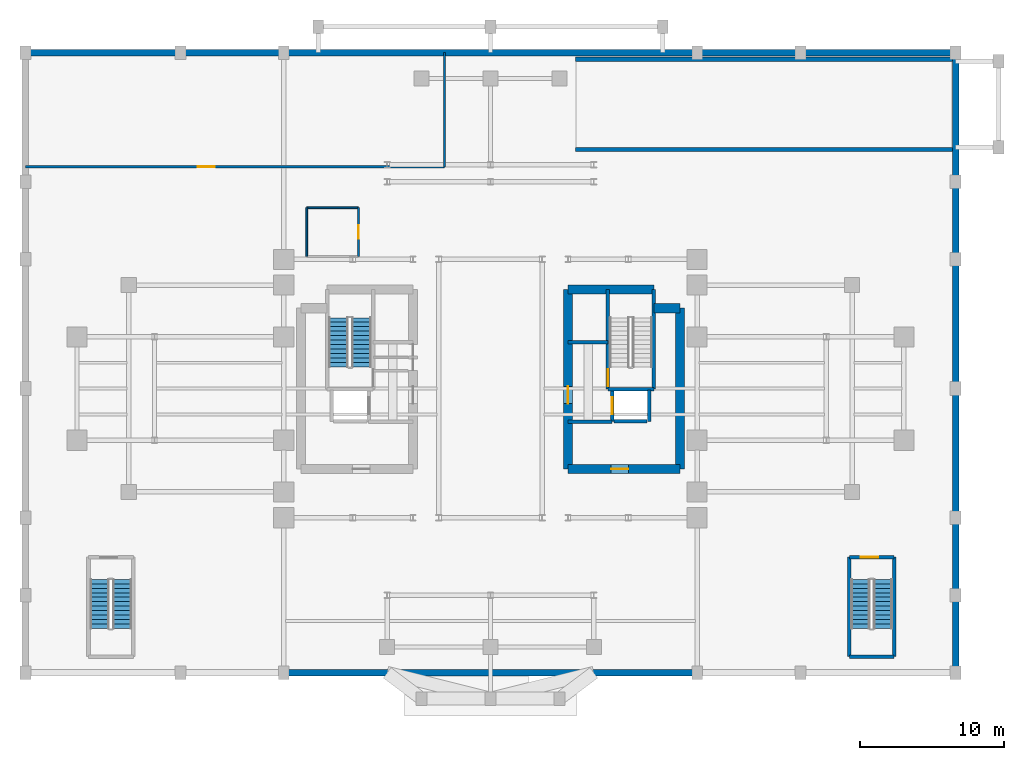
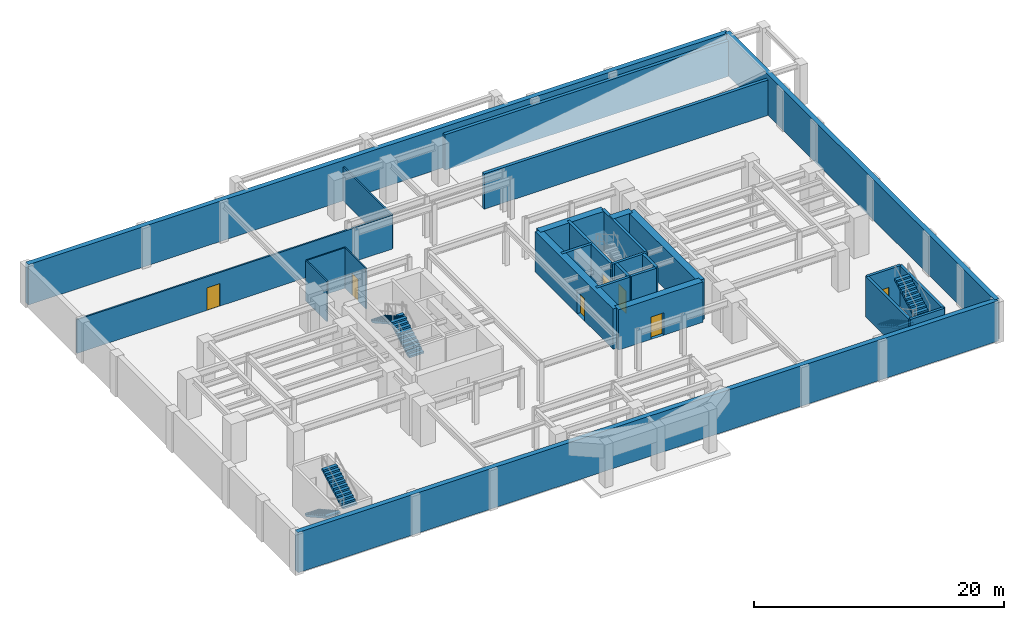
# One storey, part 6 of 9: 27 walls, 7 doors, 6 stair flights, 7 openings, 3 elements without a shape of their own.
"""IFC4 building model written with IfcOpenShell, lengths in metres."""

from ifc_helpers import new_model, si_unit, direction, frame, frame_2d, origin, place, context, subcontext, project, spatial, polyline, rectangle, outline, extrude, source, transform, mapped, material, layer, layer_set, type_object, element, fill, aggregate, save


model = new_model("IFC4")

# Units and contexts
model_context = context("Model", 3, precision=1e-05, world=origin(), true_north=direction((0.0, 1.0)))
body_context = subcontext(model_context, "Body", "Model", "MODEL_VIEW")
ifc_project = project(units=[si_unit("LENGTHUNIT", "METRE"), si_unit("AREAUNIT", "SQUARE_METRE"), si_unit("VOLUMEUNIT", "CUBIC_METRE"), si_unit("PLANEANGLEUNIT", "RADIAN"), si_unit("MASSUNIT", "GRAM", prefix="KILO")], contexts=[model_context])

# Site, building, storey
site_placement = place(None, origin())
site = spatial("IfcSite", under=ifc_project, at=site_placement, CompositionType="ELEMENT")
building_placement = place(site_placement, origin())
building = spatial("IfcBuilding", under=site, at=building_placement, Name="Keilestroom Media Tower", CompositionType="ELEMENT")
storey_placement = place(building_placement, frame((0.0, 0.0, -4.199951171875)))
storey = spatial("IfcBuildingStorey", under=building, at=storey_placement, Name="B1", CompositionType="ELEMENT", Elevation=-4.199951171875)

# Walls
ifc_material_1 = material(Name="Concrete C45/55", Category="concrete")
ifc_layer_1 = layer(ifc_material_1, 0.449951171875)
ifc_layer_set_1 = layer_set([ifc_layer_1], Name="Concrete C45/55")
wall_type_1 = type_object("IfcWallType", Name="Basement-Retaining-Wall-450", PredefinedType="USERDEFINED", material=ifc_layer_set_1)
wall_1_placement = place(storey_placement, frame((-32.39990234375, -19.800048828125, 0.0), z_axis=(0.0, 0.0, 1.0), x_axis=(1.0, 0.0, 0.0)))
element("IfcWall", 1, at=wall_1_placement, inside=storey, type_object=wall_type_1, Name="B1 Perimeter Retaining Wall S", ObjectType="RETAININGWALL", PredefinedType="USERDEFINED", context=body_context, shape_type="SweptSolid", body=[
    extrude(rectangle(XDim=64.7998046875, YDim=0.449951171875, at=frame_2d((32.39990234375, 0.0))), origin(), (0.0, 0.0, 1.0), 3.949951171875),
])
wall_2_placement = place(storey_placement, frame((32.39990234375, -19.800048828125, 0.0), z_axis=(0.0, 0.0, 1.0), x_axis=(0.0, 1.0, 0.0)))
element("IfcWall", 2, at=wall_2_placement, inside=storey, type_object=wall_type_1, Name="B1 Perimeter Retaining Wall E", ObjectType="RETAININGWALL", PredefinedType="USERDEFINED", context=body_context, shape_type="SweptSolid", body=[
    extrude(rectangle(XDim=43.199951171875, YDim=0.449951171875, at=frame_2d((21.60009765625, 0.0))), origin(), (0.0, 0.0, 1.0), 3.949951171875),
])
wall_3_placement = place(storey_placement, frame((32.39990234375, 23.39990234375, 0.0), z_axis=(0.0, 0.0, 1.0), x_axis=(-1.0, 0.0, 0.0)))
element("IfcWall", 3, at=wall_3_placement, inside=storey, type_object=wall_type_1, Name="B1 Perimeter Retaining Wall N", ObjectType="RETAININGWALL", PredefinedType="USERDEFINED", context=body_context, shape_type="SweptSolid", body=[
    extrude(rectangle(XDim=64.7998046875, YDim=0.449951171875, at=frame_2d((32.39990234375, 0.0))), origin(), (0.0, 0.0, 1.0), 3.949951171875),
])
ifc_material_2 = material(Name="Gypsum Plasterboard & Steel Stud", Category="steel")
ifc_layer_2 = layer(ifc_material_2, 0.1201171875)
ifc_layer_set_2 = layer_set([ifc_layer_2], Name="Gypsum Plasterboard & Steel Stud")
wall_type_2 = type_object("IfcWallType", Name="Interior-Partition-Wall-120", PredefinedType="PARTITIONING", material=ifc_layer_set_2)
wall_4_placement = place(storey_placement, frame((-12.800048828125, 12.60009765625, 0.0), z_axis=(0.0, 0.0, 1.0), x_axis=(1.0, 0.0, 0.0)))
element("IfcWall", 4, at=wall_4_placement, inside=storey, type_object=wall_type_2, Name="B1 Interior Wall WP-B1-B1-SHWR-N", PredefinedType="PARTITIONING", context=body_context, shape_type="SweptSolid", body=[
    extrude(rectangle(XDim=3.60009765625, YDim=0.1201171875, at=frame_2d((1.800048828125, 0.0))), origin(), (0.0, 0.0, 1.0), 3.949951171875),
])
wall_5_placement = place(storey_placement, frame((-12.800048828125, 9.199951171875, 0.0), z_axis=(0.0, 0.0, 1.0), x_axis=(0.0, 1.0, 0.0)))
element("IfcWall", 5, at=wall_5_placement, inside=storey, type_object=wall_type_2, Name="B1 Interior Wall WP-B1-B1-SHWR-W", PredefinedType="PARTITIONING", context=body_context, shape_type="SweptSolid", body=[
    extrude(rectangle(XDim=3.400146484375, YDim=0.1201171875, at=frame_2d((1.7001953125, 0.0))), origin(), (0.0, 0.0, 1.0), 3.949951171875),
])

# Wall, opening, door
wall_6_placement = place(storey_placement, frame((-9.199951171875, 9.199951171875, 0.0), z_axis=(0.0, 0.0, 1.0), x_axis=(0.0, 1.0, 0.0)))
wall_6 = element("IfcWall", 6, at=wall_6_placement, inside=storey, type_object=wall_type_2, Name="B1 Interior Wall WP-B1-B1-SHWR-E", PredefinedType="PARTITIONING", context=body_context, shape_type="SweptSolid", body=[
    extrude(rectangle(XDim=3.400146484375, YDim=0.1201171875, at=frame_2d((1.7001953125, 0.0))), origin(), (0.0, 0.0, 1.0), 3.949951171875),
])
opening_1_placement = place(wall_6_placement, frame((1.22509765625, 0.0, 0.0)))
opening_1 = element("IfcOpeningElement", 7, at=opening_1_placement, cuts=wall_6, Name="Opening DI-03", PredefinedType="OPENING", context=body_context, shape_type="SweptSolid", body=[
    extrude(rectangle(XDim=0.949951171875, YDim=2.14990234375, at=frame_2d((0.47509765625, 1.074951171875))), frame((0.0, 0.070068359375, 0.0), z_axis=(0.0, -1.0, 0.0), x_axis=(1.0, 0.0, 0.0)), (0.0, 0.0, 1.0), 0.14013671875),
])
ifc_material_3 = material(Name="Lacquered European Oak Leaf", Category="wood")
door_type_1 = type_object("IfcDoorType", Name="Interior-Room-And-Suite-Door-DI-03", OperationType="NOTDEFINED", PredefinedType="DOOR", material=ifc_material_3)
shared_shape_1 = source(origin(), body_context, "Body", "SweptSolid", [
    extrude(rectangle(XDim=0.949951171875, YDim=2.14990234375, at=frame_2d((0.47509765625, 1.074951171875))), frame((0.0, 0.02490234375, 0.0), z_axis=(0.0, -1.0, 0.0), x_axis=(1.0, 0.0, 0.0)), (0.0, 0.0, 1.0), 0.050048828125),
])
door_1_placement = place(opening_1_placement, origin())
door_1 = element("IfcDoor", 8, at=door_1_placement, inside=storey, type_object=door_type_1, Name="B1 Interior Door DI-B1-DB1-SHWR", OperationType="SINGLE_SWING_LEFT", OverallHeight=2.14990234375, OverallWidth=0.949951171875, PredefinedType="DOOR", context=body_context, shape_type="MappedRepresentation", body=[
    mapped(shared_shape_1, transform((0.0, 0.0, 0.0), x_axis=(1.0, 0.0, 0.0), y_axis=(0.0, 1.0, 0.0), z_axis=(0.0, 0.0, 1.0), scale=1.0)),
])
fill(opening_1, door_1)

ifc_layer_3 = layer(ifc_material_2, 0.14990234375)
ifc_layer_set_3 = layer_set([ifc_layer_3], Name="Gypsum Plasterboard & Steel Stud")
wall_type_3 = type_object("IfcWallType", Name="Interior-Partition-Wall-150", PredefinedType="PARTITIONING", material=ifc_layer_set_3)
wall_7_placement = place(storey_placement, frame((-32.39990234375, 15.449951171875, 0.0), z_axis=(0.0, 0.0, 1.0), x_axis=(1.0, 0.0, 0.0)))
wall_7 = element("IfcWall", 9, at=wall_7_placement, inside=storey, type_object=wall_type_3, Name="B1 Interior Wall WP-B1-B1-BIKE-S", PredefinedType="PARTITIONING", context=body_context, shape_type="SweptSolid", body=[
    extrude(rectangle(XDim=29.199951171875, YDim=0.14990234375, at=frame_2d((14.60009765625, 0.0))), origin(), (0.0, 0.0, 1.0), 3.300048828125),
])
opening_2_placement = place(wall_7_placement, frame((12.0, 0.0, 0.0)))
opening_2 = element("IfcOpeningElement", 10, at=opening_2_placement, cuts=wall_7, Name="Opening DI-02", PredefinedType="OPENING", context=body_context, shape_type="SweptSolid", body=[
    extrude(rectangle(XDim=1.199951171875, YDim=2.199951171875, at=frame_2d((0.60009765625, 1.10009765625))), frame((0.0, 0.0849609375, 0.0), z_axis=(0.0, -1.0, 0.0), x_axis=(1.0, 0.0, 0.0)), (0.0, 0.0, 1.0), 0.169921875),
])
ifc_material_4 = material(Name="Powder-Coated Steel Fire Leaf", Category="steel")
door_type_2 = type_object("IfcDoorType", Name="Interior-Compartment-Fire-Door-DI-02", OperationType="NOTDEFINED", PredefinedType="DOOR", material=ifc_material_4)
shared_shape_2 = source(origin(), body_context, "Body", "SweptSolid", [
    extrude(rectangle(XDim=1.199951171875, YDim=2.199951171875, at=frame_2d((0.60009765625, 1.10009765625))), frame((0.0, 0.02490234375, 0.0), z_axis=(0.0, -1.0, 0.0), x_axis=(1.0, 0.0, 0.0)), (0.0, 0.0, 1.0), 0.050048828125),
])
door_2_placement = place(opening_2_placement, origin())
door_2 = element("IfcDoor", 11, at=door_2_placement, inside=storey, type_object=door_type_2, Name="B1 Interior Door DI-B1-B1-BIKE-D", OperationType="SINGLE_SWING_RIGHT", OverallHeight=2.199951171875, OverallWidth=1.199951171875, PredefinedType="DOOR", context=body_context, shape_type="MappedRepresentation", body=[
    mapped(shared_shape_2, transform((0.0, 0.0, 0.0), x_axis=(1.0, 0.0, 0.0), y_axis=(0.0, 1.0, 0.0), z_axis=(0.0, 0.0, 1.0), scale=1.0)),
])
fill(opening_2, door_2)

# Walls
wall_8_placement = place(storey_placement, frame((-3.199951171875, 15.449951171875, 0.0), z_axis=(0.0, 0.0, 1.0), x_axis=(0.0, 1.0, 0.0)))
element("IfcWall", 12, at=wall_8_placement, inside=storey, type_object=wall_type_3, Name="B1 Interior Wall WP-B1-B1-BIKE-E", PredefinedType="PARTITIONING", context=body_context, shape_type="SweptSolid", body=[
    extrude(rectangle(XDim=7.949951171875, YDim=0.14990234375, at=frame_2d((3.97509765625, 0.0))), origin(), (0.0, 0.0, 1.0), 3.300048828125),
])
ifc_material_5 = material(Name="Concrete C50/60", Category="concrete")
ifc_layer_4 = layer(ifc_material_5, 0.300048828125)
ifc_layer_set_4 = layer_set([ifc_layer_4], Name="Concrete C50/60")
wall_type_4 = type_object("IfcWallType", Name="Reinforced-Concrete-Core-Shear-Wall-300", PredefinedType="SHEAR", material=ifc_layer_set_4)
for number, where, z_axis, x_axis, name in (
    (13, (5.919921875, 16.64990234375, 0.0), (0.0, 0.0, 1.0), (1.0, 0.0, 0.0), "B1 Core Shear Wall WL-B1-RMPW-S"),
    (14, (5.919921875, 22.949951171875, 0.0), (0.0, 0.0, 1.0), (1.0, 0.0, 0.0), "B1 Core Shear Wall WL-B1-RMPW-N"),
):
    element("IfcWall", number, at=place(storey_placement, frame(where, z_axis=z_axis, x_axis=x_axis)), inside=storey, type_object=wall_type_4, Name=name, PredefinedType="SHEAR", context=body_context, shape_type="SweptSolid", body=[
        extrude(rectangle(XDim=26.260009765625, YDim=0.300048828125, at=frame_2d((13.1298828125, 0.0))), origin(), (0.0, 0.0, 1.0), 3.4599609375),
    ])
ifc_material_6 = material(Name="Concrete C70/85", Category="concrete")
ifc_layer_5 = layer(ifc_material_6, 0.64990234375)
ifc_layer_set_5 = layer_set([ifc_layer_5], Name="Concrete C70/85")
wall_type_5 = type_object("IfcWallType", Name="Reinforced-Concrete-Core-Shear-Wall-650", PredefinedType="SHEAR", material=ifc_layer_set_5)
wall_9_placement = place(storey_placement, frame((13.199951171875, -5.60009765625, 0.0), z_axis=(0.0, 0.0, 1.0), x_axis=(0.0, 1.0, 0.0)))
element("IfcWall", 15, at=wall_9_placement, inside=storey, type_object=wall_type_5, Name="B1 Core Shear Wall WL-B1-CORE-E-OUT", PredefinedType="SHEAR", context=body_context, shape_type="SweptSolid", body=[
    extrude(rectangle(XDim=11.2001953125, YDim=0.64990234375, at=frame_2d((5.60009765625, 0.0))), origin(), (0.0, 0.0, 1.0), 3.949951171875),
])

# Wall, opening, door
wall_10_placement = place(storey_placement, frame((5.39990234375, -5.60009765625, 0.0), z_axis=(0.0, 0.0, 1.0), x_axis=(0.0, 1.0, 0.0)))
wall_10 = element("IfcWall", 16, at=wall_10_placement, inside=storey, type_object=wall_type_5, Name="B1 Core Shear Wall WL-B1-CORE-E-IN", PredefinedType="SHEAR", context=body_context, shape_type="SweptSolid", body=[
    extrude(rectangle(XDim=12.5, YDim=0.64990234375, at=frame_2d((6.25, 0.0))), origin(), (0.0, 0.0, 1.0), 3.949951171875),
])
opening_3_placement = place(wall_10_placement, frame((4.550048828125, 0.0, 0.0)))
opening_3 = element("IfcOpeningElement", 17, at=opening_3_placement, cuts=wall_10, Name="Opening DI-02", PredefinedType="OPENING", context=body_context, shape_type="SweptSolid", body=[
    extrude(rectangle(XDim=1.199951171875, YDim=2.199951171875, at=frame_2d((0.60009765625, 1.10009765625))), frame((0.0, 0.3349609375, 0.0), z_axis=(0.0, -1.0, 0.0), x_axis=(1.0, 0.0, 0.0)), (0.0, 0.0, 1.0), 0.669921875),
])
door_3_placement = place(opening_3_placement, origin())
door_3 = element("IfcDoor", 18, at=door_3_placement, inside=storey, type_object=door_type_2, Name="B1 E Firefighting Lobby Door", OperationType="SINGLE_SWING_LEFT", OverallHeight=2.199951171875, OverallWidth=1.199951171875, PredefinedType="DOOR", context=body_context, shape_type="MappedRepresentation", body=[
    mapped(shared_shape_2, transform((0.0, 0.0, 0.0), x_axis=(1.0, 0.0, 0.0), y_axis=(0.0, 1.0, 0.0), z_axis=(0.0, 0.0, 1.0), scale=1.0)),
])
fill(opening_3, door_3)

# Walls
wall_11_placement = place(storey_placement, frame((5.39990234375, 6.89990234375, 0.0), z_axis=(0.0, 0.0, 1.0), x_axis=(1.0, 0.0, 0.0)))
element("IfcWall", 19, at=wall_11_placement, inside=storey, type_object=wall_type_5, Name="B1 Core Shear Wall WL-B1-CORE-E-N", PredefinedType="SHEAR", context=body_context, shape_type="SweptSolid", body=[
    extrude(rectangle(XDim=5.981201171875, YDim=0.64990234375, at=frame_2d((2.99072265625, 0.0))), origin(), (0.0, 0.0, 1.0), 3.949951171875),
])
wall_12_placement = place(storey_placement, frame((11.381103515625, 5.60009765625, 0.0), z_axis=(0.0, 0.0, 1.0), x_axis=(1.0, 0.0, 0.0)))
element("IfcWall", 20, at=wall_12_placement, inside=storey, type_object=wall_type_5, Name="B1 Core Shear Wall WL-B1-CNE-N", PredefinedType="SHEAR", context=body_context, shape_type="SweptSolid", body=[
    extrude(rectangle(XDim=1.81884765625, YDim=0.64990234375, at=frame_2d((0.909423828125, 0.0))), origin(), (0.0, 0.0, 1.0), 3.949951171875),
])

# Wall, opening, door
wall_13_placement = place(storey_placement, frame((5.39990234375, -5.60009765625, 0.0), z_axis=(0.0, 0.0, 1.0), x_axis=(1.0, 0.0, 0.0)))
wall_13 = element("IfcWall", 21, at=wall_13_placement, inside=storey, type_object=wall_type_5, Name="B1 Core Shear Wall WL-B1-CORE-E-S", PredefinedType="SHEAR", context=body_context, shape_type="SweptSolid", body=[
    extrude(rectangle(XDim=7.800048828125, YDim=0.64990234375, at=frame_2d((3.89990234375, 0.0))), origin(), (0.0, 0.0, 1.0), 3.949951171875),
])
opening_4_placement = place(wall_13_placement, frame((3.0, 0.0, 0.0)))
opening_4 = element("IfcOpeningElement", 22, at=opening_4_placement, cuts=wall_13, Name="Opening DI-02", PredefinedType="OPENING", context=body_context, shape_type="SweptSolid", body=[
    extrude(rectangle(XDim=1.199951171875, YDim=2.199951171875, at=frame_2d((0.60009765625, 1.10009765625))), frame((0.0, 0.3349609375, 0.0), z_axis=(0.0, -1.0, 0.0), x_axis=(1.0, 0.0, 0.0)), (0.0, 0.0, 1.0), 0.669921875),
])
door_4_placement = place(opening_4_placement, origin())
door_4 = element("IfcDoor", 23, at=door_4_placement, inside=storey, type_object=door_type_2, Name="B1 E Passenger Lift Lobby Door", OperationType="SINGLE_SWING_RIGHT", OverallHeight=2.199951171875, OverallWidth=1.199951171875, PredefinedType="DOOR", context=body_context, shape_type="MappedRepresentation", body=[
    mapped(shared_shape_2, transform((0.0, 0.0, 0.0), x_axis=(1.0, 0.0, 0.0), y_axis=(0.0, 1.0, 0.0), z_axis=(0.0, 0.0, 1.0), scale=1.0)),
])
fill(opening_4, door_4)

# Walls
ifc_layer_6 = layer(ifc_material_5, 0.25)
ifc_layer_set_6 = layer_set([ifc_layer_6], Name="Concrete C50/60")
wall_type_6 = type_object("IfcWallType", Name="Reinforced-Concrete-Shaft-Wall-250", PredefinedType="SOLIDWALL", material=ifc_layer_set_6)
wall_14_placement = place(storey_placement, frame((5.39990234375, 3.219970703125, 0.0), z_axis=(0.0, 0.0, 1.0), x_axis=(1.0, 0.0, 0.0)))
element("IfcWall", 24, at=wall_14_placement, inside=storey, type_object=wall_type_6, Name="B1 Core Shear Wall WL-B1-CORE-E-FFN", PredefinedType="SOLIDWALL", context=body_context, shape_type="SweptSolid", body=[
    extrude(rectangle(XDim=2.780029296875, YDim=0.25, at=frame_2d((1.39013671875, 0.0))), origin(), (0.0, 0.0, 1.0), 3.949951171875),
])
wall_15_placement = place(storey_placement, frame((5.39990234375, -2.300048828125, 0.0), z_axis=(0.0, 0.0, 1.0), x_axis=(1.0, 0.0, 0.0)))
element("IfcWall", 25, at=wall_15_placement, inside=storey, type_object=wall_type_6, Name="B1 Core Shear Wall WL-B1-CORE-E-FFS", PredefinedType="SOLIDWALL", context=body_context, shape_type="SweptSolid", body=[
    extrude(rectangle(XDim=3.080078125, YDim=0.25, at=frame_2d((1.5400390625, 0.0))), origin(), (0.0, 0.0, 1.0), 3.949951171875),
])

# Wall, opening, door
wall_16_placement = place(storey_placement, frame((8.178955078125, -0.041015625, 0.0), z_axis=(0.0, 0.0, 1.0), x_axis=(0.0, 1.0, 0.0)))
wall_16 = element("IfcWall", 26, at=wall_16_placement, inside=storey, type_object=wall_type_6, Name="B1 Core Shear Wall WL-B1-STW-E-NEAR", PredefinedType="SOLIDWALL", context=body_context, shape_type="SweptSolid", body=[
    extrude(rectangle(XDim=6.94091796875, YDim=0.25, at=frame_2d((3.470458984375, 0.0))), origin(), (0.0, 0.0, 1.0), 3.949951171875),
])
opening_5_placement = place(wall_16_placement, frame((0.199951171875, 0.0, 0.0)))
opening_5 = element("IfcOpeningElement", 27, at=opening_5_placement, cuts=wall_16, Name="Opening DI-01S", PredefinedType="OPENING", context=body_context, shape_type="SweptSolid", body=[
    extrude(rectangle(XDim=1.199951171875, YDim=2.199951171875, at=frame_2d((0.60009765625, 1.10009765625))), frame((0.0, 0.135009765625, 0.0), z_axis=(0.0, -1.0, 0.0), x_axis=(1.0, 0.0, 0.0)), (0.0, 0.0, 1.0), 0.27001953125),
])
door_type_3 = type_object("IfcDoorType", Name="Interior-Stair-And-Core-Fire-Door-DI-01", OperationType="NOTDEFINED", PredefinedType="DOOR", material=ifc_material_4)
door_5_placement = place(opening_5_placement, origin())
door_5 = element("IfcDoor", 28, at=door_5_placement, inside=storey, type_object=door_type_3, Name="B1 Escape Stair ST-2 Fire Door", OperationType="SINGLE_SWING_RIGHT", OverallHeight=2.199951171875, OverallWidth=1.199951171875, PredefinedType="DOOR", context=body_context, shape_type="MappedRepresentation", body=[
    mapped(shared_shape_2, transform((0.0, 0.0, 0.0), x_axis=(1.0, 0.0, 0.0), y_axis=(0.0, 1.0, 0.0), z_axis=(0.0, 0.0, 1.0), scale=1.0)),
])
fill(opening_5, door_5)

# Walls
wall_17_placement = place(storey_placement, frame((11.381103515625, -0.041015625, 0.0), z_axis=(0.0, 0.0, 1.0), x_axis=(0.0, 1.0, 0.0)))
element("IfcWall", 29, at=wall_17_placement, inside=storey, type_object=wall_type_6, Name="B1 Core Shear Wall WL-B1-STW-E-FAR", PredefinedType="SOLIDWALL", context=body_context, shape_type="SweptSolid", body=[
    extrude(rectangle(XDim=6.94091796875, YDim=0.25, at=frame_2d((3.470458984375, 0.0))), origin(), (0.0, 0.0, 1.0), 3.949951171875),
])
wall_18_placement = place(storey_placement, frame((8.178955078125, -0.041015625, 0.0), z_axis=(0.0, 0.0, 1.0), x_axis=(1.0, 0.0, 0.0)))
element("IfcWall", 30, at=wall_18_placement, inside=storey, type_object=wall_type_6, Name="B1 Core Shear Wall WL-B1-STW-E-S", PredefinedType="SOLIDWALL", context=body_context, shape_type="SweptSolid", body=[
    extrude(rectangle(XDim=3.2021484375, YDim=0.25, at=frame_2d((1.60107421875, 0.0))), origin(), (0.0, 0.0, 1.0), 3.949951171875),
])
for number, where, z_axis, x_axis, name in (
    (31, (24.9990234375, -18.6708984375, 0.0), (0.0, 0.0, 1.0), (0.0, 1.0, 0.0), "B1 Core Shear Wall WL-B1-ST-4-W"),
    (32, (28.12109375, -18.6708984375, 0.0), (0.0, 0.0, 1.0), (0.0, 1.0, 0.0), "B1 Core Shear Wall WL-B1-ST-4-E"),
):
    element("IfcWall", number, at=place(storey_placement, frame(where, z_axis=z_axis, x_axis=x_axis)), inside=storey, type_object=wall_type_6, Name=name, PredefinedType="SOLIDWALL", context=body_context, shape_type="SweptSolid", body=[
        extrude(rectangle(XDim=6.921875, YDim=0.25, at=frame_2d((3.4609375, 0.0))), origin(), (0.0, 0.0, 1.0), 3.949951171875),
    ])
wall_19_placement = place(storey_placement, frame((24.9990234375, -18.6708984375, 0.0), z_axis=(0.0, 0.0, 1.0), x_axis=(1.0, 0.0, 0.0)))
element("IfcWall", 33, at=wall_19_placement, inside=storey, type_object=wall_type_6, Name="B1 Core Shear Wall WL-B1-ST-4-S", PredefinedType="SOLIDWALL", context=body_context, shape_type="SweptSolid", body=[
    extrude(rectangle(XDim=3.1220703125, YDim=0.25, at=frame_2d((1.56103515625, 0.0))), origin(), (0.0, 0.0, 1.0), 3.949951171875),
])

# Wall, opening, door
wall_20_placement = place(storey_placement, frame((24.9990234375, -11.7490234375, 0.0), z_axis=(0.0, 0.0, 1.0), x_axis=(1.0, 0.0, 0.0)))
wall_20 = element("IfcWall", 34, at=wall_20_placement, inside=storey, type_object=wall_type_6, Name="B1 Core Shear Wall WL-B1-ST-4-N", PredefinedType="SOLIDWALL", context=body_context, shape_type="SweptSolid", body=[
    extrude(rectangle(XDim=3.1220703125, YDim=0.25, at=frame_2d((1.56103515625, 0.0))), origin(), (0.0, 0.0, 1.0), 3.949951171875),
])
opening_6_placement = place(wall_20_placement, frame((0.800048828125, 0.0, 0.0)))
opening_6 = element("IfcOpeningElement", 35, at=opening_6_placement, cuts=wall_20, Name="Opening DI-01S", PredefinedType="OPENING", context=body_context, shape_type="SweptSolid", body=[
    extrude(rectangle(XDim=1.199951171875, YDim=2.199951171875, at=frame_2d((0.60009765625, 1.10009765625))), frame((0.0, 0.135009765625, 0.0), z_axis=(0.0, -1.0, 0.0), x_axis=(1.0, 0.0, 0.0)), (0.0, 0.0, 1.0), 0.27001953125),
])
door_6_placement = place(opening_6_placement, origin())
door_6 = element("IfcDoor", 36, at=door_6_placement, inside=storey, type_object=door_type_3, Name="B1 Podium Stair ST-4 Fire Door", OperationType="SINGLE_SWING_LEFT", OverallHeight=2.199951171875, OverallWidth=1.199951171875, PredefinedType="DOOR", context=body_context, shape_type="MappedRepresentation", body=[
    mapped(shared_shape_2, transform((0.0, 0.0, 0.0), x_axis=(1.0, 0.0, 0.0), y_axis=(0.0, 1.0, 0.0), z_axis=(0.0, 0.0, 1.0), scale=1.0)),
])
fill(opening_6, door_6)

wall_21_placement = place(storey_placement, frame((8.47998046875, -2.280029296875, 0.0), z_axis=(0.0, 0.0, 1.0), x_axis=(0.0, 1.0, 0.0)))
wall_21 = element("IfcWall", 37, at=wall_21_placement, inside=storey, type_object=wall_type_6, Name="B1 Core Shear Wall WL-B1-LSH-FFL-2-W", PredefinedType="SOLIDWALL", context=body_context, shape_type="SweptSolid", body=[
    extrude(rectangle(XDim=2.179931640625, YDim=0.25, at=frame_2d((1.08984375, 0.0))), origin(), (0.0, 0.0, 1.0), 3.949951171875),
])
opening_7_placement = place(wall_21_placement, frame((0.489990234375, 0.0, 0.0)))
opening_7 = element("IfcOpeningElement", 38, at=opening_7_placement, cuts=wall_21, Name="Opening LD-02", PredefinedType="OPENING", context=body_context, shape_type="SweptSolid", body=[
    extrude(rectangle(XDim=1.199951171875, YDim=2.199951171875, at=frame_2d((0.60009765625, 1.10009765625))), frame((0.0, 0.135009765625, 0.0), z_axis=(0.0, -1.0, 0.0), x_axis=(1.0, 0.0, 0.0)), (0.0, 0.0, 1.0), 0.27001953125),
])
ifc_material_7 = material(Name="Brushed Stainless Steel Sliding Leaf", Category="steel")
door_type_4 = type_object("IfcDoorType", Name="Lift-Landing-Sliding-Door-LD-02", OperationType="SLIDING_TO_RIGHT", PredefinedType="DOOR", material=ifc_material_7)
door_7_placement = place(opening_7_placement, origin())
door_7 = element("IfcDoor", 39, at=door_7_placement, inside=storey, type_object=door_type_4, Name="B1 Lift FFL-2 Landing Sliding Door", OperationType="SLIDING_TO_RIGHT", OverallHeight=2.199951171875, OverallWidth=1.199951171875, PredefinedType="DOOR", context=body_context, shape_type="MappedRepresentation", body=[
    mapped(shared_shape_2, transform((0.0, 0.0, 0.0), x_axis=(1.0, 0.0, 0.0), y_axis=(0.0, 1.0, 0.0), z_axis=(0.0, 0.0, 1.0), scale=1.0)),
])
fill(opening_7, door_7)

# Walls
wall_22_placement = place(storey_placement, frame((11.050048828125, -2.280029296875, 0.0), z_axis=(0.0, 0.0, 1.0), x_axis=(0.0, 1.0, 0.0)))
element("IfcWall", 40, at=wall_22_placement, inside=storey, type_object=wall_type_6, Name="B1 Core Shear Wall WL-B1-LSH-FFL-2-E", PredefinedType="SOLIDWALL", context=body_context, shape_type="SweptSolid", body=[
    extrude(rectangle(XDim=2.179931640625, YDim=0.25, at=frame_2d((1.08984375, 0.0))), origin(), (0.0, 0.0, 1.0), 3.949951171875),
])
wall_23_placement = place(storey_placement, frame((8.60888671875, -2.280029296875, 0.0), z_axis=(0.0, 0.0, 1.0), x_axis=(1.0, 0.0, 0.0)))
element("IfcWall", 41, at=wall_23_placement, inside=storey, type_object=wall_type_6, Name="B1 Core Shear Wall WL-B1-LSH-FFL-2-S", PredefinedType="SOLIDWALL", context=body_context, shape_type="SweptSolid", body=[
    extrude(rectangle(XDim=2.31201171875, YDim=0.25, at=frame_2d((1.156005859375, 0.0))), origin(), (0.0, 0.0, 1.0), 3.949951171875),
])

# Stair, stair flights
stair_type_1 = type_object("IfcStairType", Name="Enclosed-Dog-Leg-Stair-ST-CORE", PredefinedType="HALF_TURN_STAIR", material=ifc_material_1)
stair_1_placement = place(storey_placement, origin())
stair_1 = element("IfcStair", 42, at=stair_1_placement, inside=storey, type_object=stair_type_1, Name="B1 West Core Escape Stair ST-1", PredefinedType="HALF_TURN_STAIR")
ifc_material_8 = material(Name="Precast concrete C40/50", Category="concrete")
stair_flight_type_1 = type_object("IfcStairFlightType", Name="Precast-Concrete-Stair-Flight-Core-160", PredefinedType="STRAIGHT", material=ifc_material_8)
stair_flight_1_placement = place(storey_placement, frame((-8.97998046875, 1.5, 0.0), z_axis=(0.0, 0.0, 1.0), x_axis=(0.0, 1.0, 0.0)))
stair_flight_1 = element("IfcStairFlight", 43, at=stair_flight_1_placement, type_object=stair_flight_type_1, Name="ST-1 flight 1", NumberOfRisers=12, NumberOfTreads=11, PredefinedType="STRAIGHT", RiserHeight=0.175, TreadLength=0.312, context=body_context, shape_type="SweptSolid", body=[
    extrude(outline(polyline([(0.0, 0.0), (0.0, 0.175048828125), (0.31201171875, 0.175048828125), (0.31201171875, 0.35009765625), (0.6240234375, 0.35009765625), (0.6240234375, 0.52490234375), (0.93603515625, 0.52490234375), (0.93603515625, 0.699951171875), (1.248046875, 0.699951171875), (1.248046875, 0.875), (1.56005859375, 0.875), (1.56005859375, 1.050048828125), (1.8720703125, 1.050048828125), (1.8720703125, 1.22509765625), (2.18408203125, 1.22509765625), (2.18408203125, 1.39990234375), (2.49609375, 1.39990234375), (2.49609375, 1.574951171875), (2.80810546875, 1.574951171875), (2.80810546875, 1.75), (3.1201171875, 1.75), (3.1201171875, 1.925048828125), (3.431884765625, 1.925048828125), (3.431884765625, 2.10009765625), (3.431884765625, 1.74169921875), (0.326904296875, 0.0), (0.0, 0.0)])), frame((0.0, 0.68017578125, 0.0), z_axis=(0.0, -1.0, 0.0), x_axis=(1.0, 0.0, 0.0)), (0.0, 0.0, 1.0), 1.360107421875),
])
stair_flight_2_placement = place(storey_placement, frame((-10.580078125, 4.931884765625, 2.099853515625), z_axis=(0.0, 0.0, 1.0), x_axis=(0.0, -1.0, 0.0)))
stair_flight_2 = element("IfcStairFlight", 44, at=stair_flight_2_placement, type_object=stair_flight_type_1, Name="ST-1 flight 2", NumberOfRisers=12, NumberOfTreads=11, PredefinedType="STRAIGHT", RiserHeight=0.175, TreadLength=0.312, context=body_context, shape_type="SweptSolid", body=[
    extrude(outline(polyline([(0.0, 0.0), (0.0, 0.175048828125), (0.31201171875, 0.175048828125), (0.31201171875, 0.35009765625), (0.6240234375, 0.35009765625), (0.6240234375, 0.52490234375), (0.93603515625, 0.52490234375), (0.93603515625, 0.699951171875), (1.248046875, 0.699951171875), (1.248046875, 0.875), (1.56005859375, 0.875), (1.56005859375, 1.050048828125), (1.8720703125, 1.050048828125), (1.8720703125, 1.22509765625), (2.18408203125, 1.22509765625), (2.18408203125, 1.39990234375), (2.49609375, 1.39990234375), (2.49609375, 1.574951171875), (2.80810546875, 1.574951171875), (2.80810546875, 1.75), (3.1201171875, 1.75), (3.1201171875, 1.925048828125), (3.431884765625, 1.925048828125), (3.431884765625, 2.10009765625), (3.431884765625, 1.74169921875), (0.326904296875, 0.0), (0.0, 0.0)])), frame((0.0, 0.68017578125, 0.0), z_axis=(0.0, -1.0, 0.0), x_axis=(1.0, 0.0, 0.0)), (0.0, 0.0, 1.0), 1.360107421875),
])
aggregate(stair_1, [stair_flight_1, stair_flight_2])

stair_type_2 = type_object("IfcStairType", Name="Enclosed-Dog-Leg-Stair-ST-POD", PredefinedType="HALF_TURN_STAIR", material=ifc_material_1)
stair_2_placement = place(storey_placement, origin())
stair_2 = element("IfcStair", 45, at=stair_2_placement, inside=storey, type_object=stair_type_2, Name="B1 Podium West Studio Escape Stair ST-3", PredefinedType="HALF_TURN_STAIR")
stair_flight_type_2 = type_object("IfcStairFlightType", Name="Precast-Concrete-Stair-Flight-Podium-160", PredefinedType="STRAIGHT", material=ifc_material_8)
stair_flight_3_placement = place(storey_placement, frame((-27.219970703125, -13.2900390625, 0.0), z_axis=(0.0, 0.0, 1.0), x_axis=(0.0, -1.0, 0.0)))
stair_flight_3 = element("IfcStairFlight", 46, at=stair_flight_3_placement, type_object=stair_flight_type_2, Name="ST-3 flight 1", NumberOfRisers=12, NumberOfTreads=11, PredefinedType="STRAIGHT", RiserHeight=0.175, TreadLength=0.312, context=body_context, shape_type="SweptSolid", body=[
    extrude(outline(polyline([(0.0, 0.0), (0.0, 0.175048828125), (0.31201171875, 0.175048828125), (0.31201171875, 0.35009765625), (0.6240234375, 0.35009765625), (0.6240234375, 0.52490234375), (0.93603515625, 0.52490234375), (0.93603515625, 0.699951171875), (1.248046875, 0.699951171875), (1.248046875, 0.875), (1.56005859375, 0.875), (1.56005859375, 1.050048828125), (1.8720703125, 1.050048828125), (1.8720703125, 1.22509765625), (2.18408203125, 1.22509765625), (2.18408203125, 1.39990234375), (2.49609375, 1.39990234375), (2.49609375, 1.574951171875), (2.80810546875, 1.574951171875), (2.80810546875, 1.75), (3.1201171875, 1.75), (3.1201171875, 1.925048828125), (3.431884765625, 1.925048828125), (3.431884765625, 2.10009765625), (3.431884765625, 1.74169921875), (0.326904296875, 0.0), (0.0, 0.0)])), frame((0.0, 0.66015625, 0.0), z_axis=(0.0, -1.0, 0.0), x_axis=(1.0, 0.0, 0.0)), (0.0, 0.0, 1.0), 1.320068359375),
])
stair_flight_4_placement = place(storey_placement, frame((-25.659912109375, -16.721923828125, 2.099853515625), z_axis=(0.0, 0.0, 1.0), x_axis=(0.0, 1.0, 0.0)))
stair_flight_4 = element("IfcStairFlight", 47, at=stair_flight_4_placement, type_object=stair_flight_type_2, Name="ST-3 flight 2", NumberOfRisers=12, NumberOfTreads=11, PredefinedType="STRAIGHT", RiserHeight=0.175, TreadLength=0.312, context=body_context, shape_type="SweptSolid", body=[
    extrude(outline(polyline([(0.0, 0.0), (0.0, 0.175048828125), (0.31201171875, 0.175048828125), (0.31201171875, 0.35009765625), (0.6240234375, 0.35009765625), (0.6240234375, 0.52490234375), (0.93603515625, 0.52490234375), (0.93603515625, 0.699951171875), (1.248046875, 0.699951171875), (1.248046875, 0.875), (1.56005859375, 0.875), (1.56005859375, 1.050048828125), (1.8720703125, 1.050048828125), (1.8720703125, 1.22509765625), (2.18408203125, 1.22509765625), (2.18408203125, 1.39990234375), (2.49609375, 1.39990234375), (2.49609375, 1.574951171875), (2.80810546875, 1.574951171875), (2.80810546875, 1.75), (3.1201171875, 1.75), (3.1201171875, 1.925048828125), (3.431884765625, 1.925048828125), (3.431884765625, 2.10009765625), (3.431884765625, 1.74169921875), (0.326904296875, 0.0), (0.0, 0.0)])), frame((0.0, 0.66015625, 0.0), z_axis=(0.0, -1.0, 0.0), x_axis=(1.0, 0.0, 0.0)), (0.0, 0.0, 1.0), 1.320068359375),
])
aggregate(stair_2, [stair_flight_3, stair_flight_4])

stair_3_placement = place(storey_placement, origin())
stair_3 = element("IfcStair", 48, at=stair_3_placement, inside=storey, type_object=stair_type_2, Name="B1 Podium East Studio Escape Stair ST-4", PredefinedType="HALF_TURN_STAIR")
stair_flight_5_placement = place(storey_placement, frame((25.780029296875, -13.2900390625, 0.0), z_axis=(0.0, 0.0, 1.0), x_axis=(0.0, -1.0, 0.0)))
stair_flight_5 = element("IfcStairFlight", 49, at=stair_flight_5_placement, type_object=stair_flight_type_2, Name="ST-4 flight 1", NumberOfRisers=12, NumberOfTreads=11, PredefinedType="STRAIGHT", RiserHeight=0.175, TreadLength=0.312, context=body_context, shape_type="SweptSolid", body=[
    extrude(outline(polyline([(0.0, 0.0), (0.0, 0.175048828125), (0.31201171875, 0.175048828125), (0.31201171875, 0.35009765625), (0.6240234375, 0.35009765625), (0.6240234375, 0.52490234375), (0.93603515625, 0.52490234375), (0.93603515625, 0.699951171875), (1.248046875, 0.699951171875), (1.248046875, 0.875), (1.56005859375, 0.875), (1.56005859375, 1.050048828125), (1.8720703125, 1.050048828125), (1.8720703125, 1.22509765625), (2.18408203125, 1.22509765625), (2.18408203125, 1.39990234375), (2.49609375, 1.39990234375), (2.49609375, 1.574951171875), (2.80810546875, 1.574951171875), (2.80810546875, 1.75), (3.1201171875, 1.75), (3.1201171875, 1.925048828125), (3.431884765625, 1.925048828125), (3.431884765625, 2.10009765625), (3.431884765625, 1.74169921875), (0.326904296875, 0.0), (0.0, 0.0)])), frame((0.0, 0.66015625, 0.0), z_axis=(0.0, -1.0, 0.0), x_axis=(1.0, 0.0, 0.0)), (0.0, 0.0, 1.0), 1.320068359375),
])
stair_flight_6_placement = place(storey_placement, frame((27.340087890625, -16.721923828125, 2.099853515625), z_axis=(0.0, 0.0, 1.0), x_axis=(0.0, 1.0, 0.0)))
stair_flight_6 = element("IfcStairFlight", 50, at=stair_flight_6_placement, type_object=stair_flight_type_2, Name="ST-4 flight 2", NumberOfRisers=12, NumberOfTreads=11, PredefinedType="STRAIGHT", RiserHeight=0.175, TreadLength=0.312, context=body_context, shape_type="SweptSolid", body=[
    extrude(outline(polyline([(0.0, 0.0), (0.0, 0.175048828125), (0.31201171875, 0.175048828125), (0.31201171875, 0.35009765625), (0.6240234375, 0.35009765625), (0.6240234375, 0.52490234375), (0.93603515625, 0.52490234375), (0.93603515625, 0.699951171875), (1.248046875, 0.699951171875), (1.248046875, 0.875), (1.56005859375, 0.875), (1.56005859375, 1.050048828125), (1.8720703125, 1.050048828125), (1.8720703125, 1.22509765625), (2.18408203125, 1.22509765625), (2.18408203125, 1.39990234375), (2.49609375, 1.39990234375), (2.49609375, 1.574951171875), (2.80810546875, 1.574951171875), (2.80810546875, 1.75), (3.1201171875, 1.75), (3.1201171875, 1.925048828125), (3.431884765625, 1.925048828125), (3.431884765625, 2.10009765625), (3.431884765625, 1.74169921875), (0.326904296875, 0.0), (0.0, 0.0)])), frame((0.0, 0.66015625, 0.0), z_axis=(0.0, -1.0, 0.0), x_axis=(1.0, 0.0, 0.0)), (0.0, 0.0, 1.0), 1.320068359375),
])
aggregate(stair_3, [stair_flight_5, stair_flight_6])

save(model, "model.ifc")
